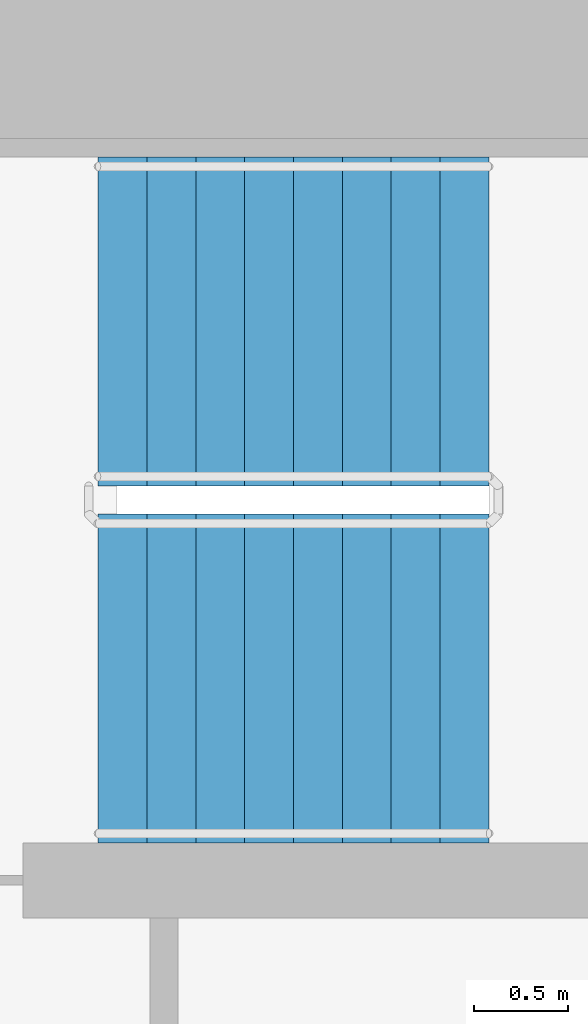
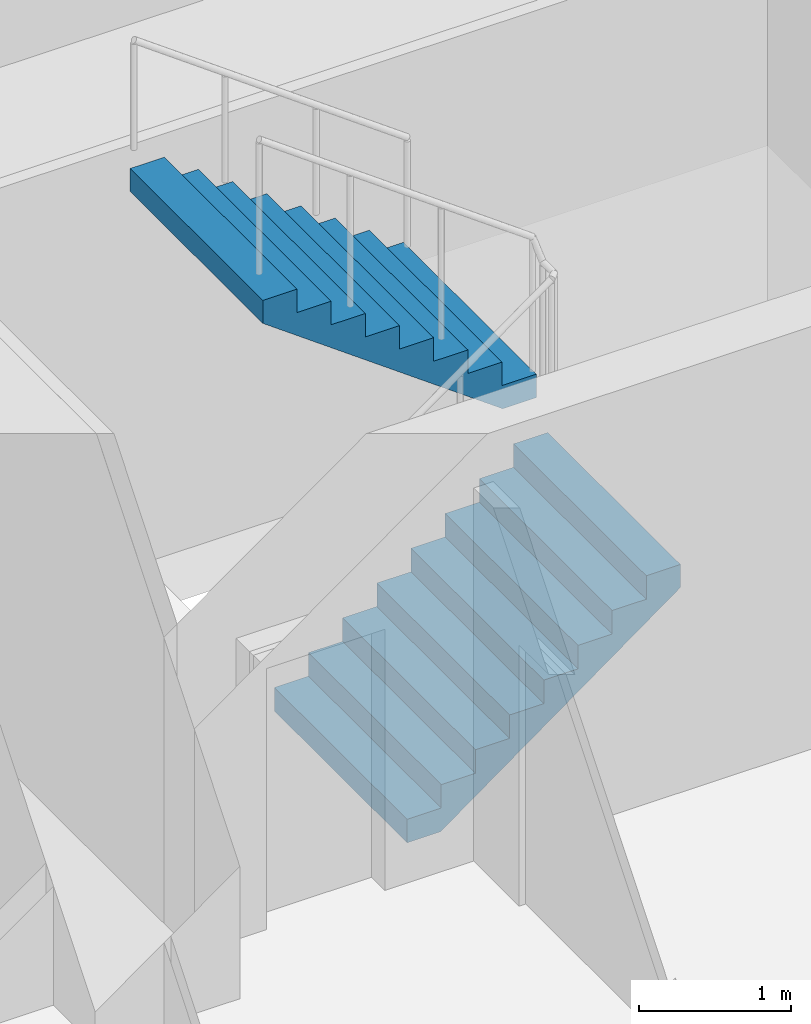
# One storey, part 19 of 25: 2 stair flights, 1 element without a shape of its own.
"""IFC4 building model written with IfcOpenShell, lengths in metres."""

from ifc_helpers import new_model, si_unit, direction, frame, origin, place, context, subcontext, project, spatial, faceted_brep, material, type_object, element, aggregate, save


model = new_model("IFC4")

# Units and contexts
model_context = context("Model", 3, precision=1e-05, world=origin(), true_north=direction((0.0, 1.0)))
body_context = subcontext(model_context, "Body", "Model", "MODEL_VIEW")
ifc_project = project(units=[si_unit("LENGTHUNIT", "METRE"), si_unit("AREAUNIT", "SQUARE_METRE"), si_unit("VOLUMEUNIT", "CUBIC_METRE"), si_unit("PLANEANGLEUNIT", "RADIAN"), si_unit("MASSUNIT", "GRAM", prefix="KILO")], contexts=[model_context])

# Site, building, storey
site_placement = place(None, origin())
site = spatial("IfcSite", under=ifc_project, at=site_placement, CompositionType="ELEMENT")
building_placement = place(site_placement, origin())
building = spatial("IfcBuilding", under=site, at=building_placement, Name="Ipe Terrace Towers", CompositionType="ELEMENT")
storey_placement = place(building_placement, frame((0.0, 0.0, 31.300048828125)))
storey = spatial("IfcBuildingStorey", under=building, at=storey_placement, Name="L07", CompositionType="ELEMENT", Elevation=31.300048828125)

# Stair, stair flights
ifc_material_1 = material(Name="Concrete C30/37", Category="concrete")
stair_type = type_object("IfcStairType", Name="Protected exit stair", PredefinedType="HALF_TURN_STAIR", material=ifc_material_1)
stair_placement = place(storey_placement, origin())
stair = element("IfcStair", 1, at=stair_placement, inside=storey, type_object=stair_type, Name="L07 Exit stair T1-C1", PredefinedType="HALF_TURN_STAIR")
ifc_material_2 = material(Name="Concrete C30/37", Category="concrete")
stair_flight_type = type_object("IfcStairFlightType", Name="Exit stair flight 1750", PredefinedType="STRAIGHT", material=ifc_material_2)
stair_flight_1_placement = place(storey_placement, frame((-26.300048828125, 2.77490234375, 0.0), z_axis=(0.0, 0.0, 1.0), x_axis=(1.0, 0.0, 0.0)))
stair_flight_1 = element("IfcStairFlight", 2, at=stair_flight_1_placement, type_object=stair_flight_type, Name="T1-ST1 flight 1", NumberOfRisers=9, NumberOfTreads=8, PredefinedType="STRAIGHT", RiserHeight=0.188888889, TreadLength=0.26, context=body_context, shape_type="Brep", body=[
    faceted_brep([(0.255126953125, -0.875, 0.0), (2.080078125, -0.875, 1.325927734375), (2.080078125, -0.875, 1.51123046875), (1.820068359375, -0.875, 1.51123046875), (1.820068359375, -0.875, 1.322265625), (1.56005859375, -0.875, 1.322265625), (1.56005859375, -0.875, 1.13330078125), (1.300048828125, -0.875, 1.13330078125), (1.300048828125, -0.875, 0.9443359375), (1.0400390625, -0.875, 0.9443359375), (1.0400390625, -0.875, 0.755615234375), (0.780029296875, -0.875, 0.755615234375), (0.780029296875, -0.875, 0.566650390625), (0.52001953125, -0.875, 0.566650390625), (0.52001953125, -0.875, 0.377685546875), (0.260009765625, -0.875, 0.377685546875), (0.260009765625, -0.875, 0.18896484375), (0.0, -0.875, 0.18896484375), (0.0, -0.875, 0.0), (0.0, 0.875, 0.0), (0.0, 0.875, 0.18896484375), (0.260009765625, 0.875, 0.18896484375), (0.260009765625, 0.875, 0.377685546875), (0.52001953125, 0.875, 0.377685546875), (0.52001953125, 0.875, 0.566650390625), (0.780029296875, 0.875, 0.566650390625), (0.780029296875, 0.875, 0.755615234375), (1.0400390625, 0.875, 0.755615234375), (1.0400390625, 0.875, 0.9443359375), (1.300048828125, 0.875, 0.9443359375), (1.300048828125, 0.875, 1.13330078125), (1.56005859375, 0.875, 1.13330078125), (1.56005859375, 0.875, 1.322265625), (1.820068359375, 0.875, 1.322265625), (1.820068359375, 0.875, 1.51123046875), (2.080078125, 0.875, 1.51123046875), (2.080078125, 0.875, 1.325927734375), (0.255126953125, 0.875, 0.0), (0.0, -0.300048828125, 0.18896484375), (0.0, -0.1201171875, 0.18896484375), (0.0, -0.06005859375, 0.18896484375), (0.0, -0.030029296875, 0.18896484375), (0.0, -0.010009765625, 0.18896484375), (0.0, 0.0, 0.18896484375), (0.0, 0.010009765625, 0.18896484375), (0.0, 0.030029296875, 0.18896484375), (0.0, 0.06005859375, 0.18896484375), (0.0, 0.1201171875, 0.18896484375), (0.0, 0.300048828125, 0.18896484375), (0.0, 0.300048828125, 0.0), (0.0, 0.1201171875, 0.0), (0.0, 0.06005859375, 0.0), (0.0, 0.030029296875, 0.0), (0.0, 0.010009765625, 0.0), (0.0, 0.0, 0.0), (0.0, -0.010009765625, 0.0), (0.0, -0.030029296875, 0.0), (0.0, -0.06005859375, 0.0), (0.0, -0.1201171875, 0.0), (0.0, -0.300048828125, 0.0), (0.260009765625, -0.300048828125, 0.18896484375), (0.260009765625, -0.1201171875, 0.18896484375), (0.260009765625, -0.06005859375, 0.18896484375), (0.260009765625, -0.030029296875, 0.18896484375), (0.260009765625, -0.010009765625, 0.18896484375), (0.260009765625, 0.0, 0.18896484375), (0.260009765625, 0.010009765625, 0.18896484375), (0.260009765625, 0.030029296875, 0.18896484375), (0.260009765625, 0.06005859375, 0.18896484375), (0.260009765625, 0.1201171875, 0.18896484375), (0.260009765625, 0.300048828125, 0.18896484375), (0.260009765625, -0.300048828125, 0.377685546875), (0.260009765625, -0.1201171875, 0.377685546875), (0.260009765625, -0.06005859375, 0.377685546875), (0.260009765625, -0.030029296875, 0.377685546875), (0.260009765625, -0.010009765625, 0.377685546875), (0.260009765625, 0.0, 0.377685546875), (0.260009765625, 0.010009765625, 0.377685546875), (0.260009765625, 0.030029296875, 0.377685546875), (0.260009765625, 0.06005859375, 0.377685546875), (0.260009765625, 0.1201171875, 0.377685546875), (0.260009765625, 0.300048828125, 0.377685546875), (0.52001953125, -0.300048828125, 0.377685546875), (0.52001953125, -0.1201171875, 0.377685546875), (0.52001953125, -0.06005859375, 0.377685546875), (0.52001953125, -0.030029296875, 0.377685546875), (0.52001953125, -0.010009765625, 0.377685546875), (0.52001953125, 0.0, 0.377685546875), (0.52001953125, 0.010009765625, 0.377685546875), (0.52001953125, 0.030029296875, 0.377685546875), (0.52001953125, 0.06005859375, 0.377685546875), (0.52001953125, 0.1201171875, 0.377685546875), (0.52001953125, 0.300048828125, 0.377685546875), (0.52001953125, -0.300048828125, 0.566650390625), (0.52001953125, -0.1201171875, 0.566650390625), (0.52001953125, -0.06005859375, 0.566650390625), (0.52001953125, -0.030029296875, 0.566650390625), (0.52001953125, -0.010009765625, 0.566650390625), (0.52001953125, 0.0, 0.566650390625), (0.52001953125, 0.010009765625, 0.566650390625), (0.52001953125, 0.030029296875, 0.566650390625), (0.52001953125, 0.06005859375, 0.566650390625), (0.52001953125, 0.1201171875, 0.566650390625), (0.52001953125, 0.300048828125, 0.566650390625), (0.780029296875, -0.300048828125, 0.566650390625), (0.780029296875, -0.1201171875, 0.566650390625), (0.780029296875, -0.06005859375, 0.566650390625), (0.780029296875, -0.030029296875, 0.566650390625), (0.780029296875, -0.010009765625, 0.566650390625), (0.780029296875, 0.0, 0.566650390625), (0.780029296875, 0.010009765625, 0.566650390625), (0.780029296875, 0.030029296875, 0.566650390625), (0.780029296875, 0.06005859375, 0.566650390625), (0.780029296875, 0.1201171875, 0.566650390625), (0.780029296875, 0.300048828125, 0.566650390625), (0.780029296875, -0.300048828125, 0.755615234375), (0.780029296875, -0.1201171875, 0.755615234375), (0.780029296875, -0.06005859375, 0.755615234375), (0.780029296875, -0.030029296875, 0.755615234375), (0.780029296875, -0.010009765625, 0.755615234375), (0.780029296875, 0.0, 0.755615234375), (0.780029296875, 0.010009765625, 0.755615234375), (0.780029296875, 0.030029296875, 0.755615234375), (0.780029296875, 0.06005859375, 0.755615234375), (0.780029296875, 0.1201171875, 0.755615234375), (0.780029296875, 0.300048828125, 0.755615234375), (1.0400390625, -0.300048828125, 0.755615234375), (1.0400390625, -0.1201171875, 0.755615234375), (1.0400390625, -0.06005859375, 0.755615234375), (1.0400390625, -0.030029296875, 0.755615234375), (1.0400390625, -0.010009765625, 0.755615234375), (1.0400390625, 0.0, 0.755615234375), (1.0400390625, 0.010009765625, 0.755615234375), (1.0400390625, 0.030029296875, 0.755615234375), (1.0400390625, 0.06005859375, 0.755615234375), (1.0400390625, 0.1201171875, 0.755615234375), (1.0400390625, 0.300048828125, 0.755615234375), (1.0400390625, -0.300048828125, 0.9443359375), (1.0400390625, -0.1201171875, 0.9443359375), (1.0400390625, -0.06005859375, 0.9443359375), (1.0400390625, -0.030029296875, 0.9443359375), (1.0400390625, -0.010009765625, 0.9443359375), (1.0400390625, 0.0, 0.9443359375), (1.0400390625, 0.010009765625, 0.9443359375), (1.0400390625, 0.030029296875, 0.9443359375), (1.0400390625, 0.06005859375, 0.9443359375), (1.0400390625, 0.1201171875, 0.9443359375), (1.0400390625, 0.300048828125, 0.9443359375), (1.300048828125, -0.300048828125, 0.9443359375), (1.300048828125, -0.1201171875, 0.9443359375), (1.300048828125, -0.06005859375, 0.9443359375), (1.300048828125, -0.030029296875, 0.9443359375), (1.300048828125, -0.010009765625, 0.9443359375), (1.300048828125, 0.0, 0.9443359375), (1.300048828125, 0.010009765625, 0.9443359375), (1.300048828125, 0.030029296875, 0.9443359375), (1.300048828125, 0.06005859375, 0.9443359375), (1.300048828125, 0.1201171875, 0.9443359375), (1.300048828125, 0.300048828125, 0.9443359375), (1.300048828125, -0.300048828125, 1.13330078125), (1.300048828125, -0.1201171875, 1.13330078125), (1.300048828125, -0.06005859375, 1.13330078125), (1.300048828125, -0.030029296875, 1.13330078125), (1.300048828125, -0.010009765625, 1.13330078125), (1.300048828125, 0.0, 1.13330078125), (1.300048828125, 0.010009765625, 1.13330078125), (1.300048828125, 0.030029296875, 1.13330078125), (1.300048828125, 0.06005859375, 1.13330078125), (1.300048828125, 0.1201171875, 1.13330078125), (1.300048828125, 0.300048828125, 1.13330078125), (1.56005859375, -0.300048828125, 1.13330078125), (1.56005859375, -0.1201171875, 1.13330078125), (1.56005859375, -0.06005859375, 1.13330078125), (1.56005859375, -0.030029296875, 1.13330078125), (1.56005859375, -0.010009765625, 1.13330078125), (1.56005859375, 0.0, 1.13330078125), (1.56005859375, 0.010009765625, 1.13330078125), (1.56005859375, 0.030029296875, 1.13330078125), (1.56005859375, 0.06005859375, 1.13330078125), (1.56005859375, 0.1201171875, 1.13330078125), (1.56005859375, 0.300048828125, 1.13330078125), (1.56005859375, -0.300048828125, 1.322265625), (1.56005859375, -0.1201171875, 1.322265625), (1.56005859375, -0.06005859375, 1.322265625), (1.56005859375, -0.030029296875, 1.322265625), (1.56005859375, -0.010009765625, 1.322265625), (1.56005859375, 0.0, 1.322265625), (1.56005859375, 0.010009765625, 1.322265625), (1.56005859375, 0.030029296875, 1.322265625), (1.56005859375, 0.06005859375, 1.322265625), (1.56005859375, 0.1201171875, 1.322265625), (1.56005859375, 0.300048828125, 1.322265625), (1.820068359375, -0.300048828125, 1.322265625), (1.820068359375, -0.1201171875, 1.322265625), (1.820068359375, -0.06005859375, 1.322265625), (1.820068359375, -0.030029296875, 1.322265625), (1.820068359375, -0.010009765625, 1.322265625), (1.820068359375, 0.0, 1.322265625), (1.820068359375, 0.010009765625, 1.322265625), (1.820068359375, 0.030029296875, 1.322265625), (1.820068359375, 0.06005859375, 1.322265625), (1.820068359375, 0.1201171875, 1.322265625), (1.820068359375, 0.300048828125, 1.322265625), (1.820068359375, -0.300048828125, 1.51123046875), (1.820068359375, -0.1201171875, 1.51123046875), (1.820068359375, -0.06005859375, 1.51123046875), (1.820068359375, -0.030029296875, 1.51123046875), (1.820068359375, -0.010009765625, 1.51123046875), (1.820068359375, 0.0, 1.51123046875), (1.820068359375, 0.010009765625, 1.51123046875), (1.820068359375, 0.030029296875, 1.51123046875), (1.820068359375, 0.06005859375, 1.51123046875), (1.820068359375, 0.1201171875, 1.51123046875), (1.820068359375, 0.300048828125, 1.51123046875), (2.080078125, -0.300048828125, 1.51123046875), (2.080078125, -0.1201171875, 1.51123046875), (2.080078125, -0.06005859375, 1.51123046875), (2.080078125, -0.030029296875, 1.51123046875), (2.080078125, -0.010009765625, 1.51123046875), (2.080078125, 0.0, 1.51123046875), (2.080078125, 0.010009765625, 1.51123046875), (2.080078125, 0.030029296875, 1.51123046875), (2.080078125, 0.06005859375, 1.51123046875), (2.080078125, 0.1201171875, 1.51123046875), (2.080078125, 0.300048828125, 1.51123046875), (2.080078125, -0.300048828125, 1.325927734375), (2.080078125, -0.1201171875, 1.325927734375), (2.080078125, -0.06005859375, 1.325927734375), (2.080078125, -0.030029296875, 1.325927734375), (2.080078125, -0.010009765625, 1.325927734375), (2.080078125, 0.0, 1.325927734375), (2.080078125, 0.010009765625, 1.325927734375), (2.080078125, 0.030029296875, 1.325927734375), (2.080078125, 0.06005859375, 1.325927734375), (2.080078125, 0.1201171875, 1.325927734375), (2.080078125, 0.300048828125, 1.325927734375), (0.255126953125, -0.300048828125, 0.0), (0.255126953125, -0.1201171875, 0.0), (0.255126953125, -0.06005859375, 0.0), (0.255126953125, -0.030029296875, 0.0), (0.255126953125, -0.010009765625, 0.0), (0.255126953125, 0.0, 0.0), (0.255126953125, 0.010009765625, 0.0), (0.255126953125, 0.030029296875, 0.0), (0.255126953125, 0.06005859375, 0.0), (0.255126953125, 0.1201171875, 0.0), (0.255126953125, 0.300048828125, 0.0)], [[[0, 1, 2, 3, 4, 5, 6, 7, 8, 9, 10, 11, 12, 13, 14, 15, 16, 17, 18]], [[19, 20, 21, 22, 23, 24, 25, 26, 27, 28, 29, 30, 31, 32, 33, 34, 35, 36, 37]], [[17, 38, 39, 40, 41, 42, 43, 44, 45, 46, 47, 48, 20, 19, 49, 50, 51, 52, 53, 54, 55, 56, 57, 58, 59, 18]], [[16, 60, 61, 62, 63, 64, 65, 66, 67, 68, 69, 70, 21, 20, 48, 47, 46, 45, 44, 43, 42, 41, 40, 39, 38, 17]], [[15, 71, 72, 73, 74, 75, 76, 77, 78, 79, 80, 81, 22, 21, 70, 69, 68, 67, 66, 65, 64, 63, 62, 61, 60, 16]], [[14, 82, 83, 84, 85, 86, 87, 88, 89, 90, 91, 92, 23, 22, 81, 80, 79, 78, 77, 76, 75, 74, 73, 72, 71, 15]], [[13, 93, 94, 95, 96, 97, 98, 99, 100, 101, 102, 103, 24, 23, 92, 91, 90, 89, 88, 87, 86, 85, 84, 83, 82, 14]], [[12, 104, 105, 106, 107, 108, 109, 110, 111, 112, 113, 114, 25, 24, 103, 102, 101, 100, 99, 98, 97, 96, 95, 94, 93, 13]], [[11, 115, 116, 117, 118, 119, 120, 121, 122, 123, 124, 125, 26, 25, 114, 113, 112, 111, 110, 109, 108, 107, 106, 105, 104, 12]], [[10, 126, 127, 128, 129, 130, 131, 132, 133, 134, 135, 136, 27, 26, 125, 124, 123, 122, 121, 120, 119, 118, 117, 116, 115, 11]], [[9, 137, 138, 139, 140, 141, 142, 143, 144, 145, 146, 147, 28, 27, 136, 135, 134, 133, 132, 131, 130, 129, 128, 127, 126, 10]], [[8, 148, 149, 150, 151, 152, 153, 154, 155, 156, 157, 158, 29, 28, 147, 146, 145, 144, 143, 142, 141, 140, 139, 138, 137, 9]], [[7, 159, 160, 161, 162, 163, 164, 165, 166, 167, 168, 169, 30, 29, 158, 157, 156, 155, 154, 153, 152, 151, 150, 149, 148, 8]], [[6, 170, 171, 172, 173, 174, 175, 176, 177, 178, 179, 180, 31, 30, 169, 168, 167, 166, 165, 164, 163, 162, 161, 160, 159, 7]], [[5, 181, 182, 183, 184, 185, 186, 187, 188, 189, 190, 191, 32, 31, 180, 179, 178, 177, 176, 175, 174, 173, 172, 171, 170, 6]], [[4, 192, 193, 194, 195, 196, 197, 198, 199, 200, 201, 202, 33, 32, 191, 190, 189, 188, 187, 186, 185, 184, 183, 182, 181, 5]], [[3, 203, 204, 205, 206, 207, 208, 209, 210, 211, 212, 213, 34, 33, 202, 201, 200, 199, 198, 197, 196, 195, 194, 193, 192, 4]], [[2, 214, 215, 216, 217, 218, 219, 220, 221, 222, 223, 224, 35, 34, 213, 212, 211, 210, 209, 208, 207, 206, 205, 204, 203, 3]], [[1, 225, 226, 227, 228, 229, 230, 231, 232, 233, 234, 235, 36, 35, 224, 223, 222, 221, 220, 219, 218, 217, 216, 215, 214, 2]], [[0, 236, 237, 238, 239, 240, 241, 242, 243, 244, 245, 246, 37, 36, 235, 234, 233, 232, 231, 230, 229, 228, 227, 226, 225, 1]], [[18, 59, 58, 57, 56, 55, 54, 53, 52, 51, 50, 49, 19, 37, 246, 245, 244, 243, 242, 241, 240, 239, 238, 237, 236, 0]]]),
])
stair_flight_2_placement = place(storey_placement, frame((-24.219970703125, 4.675048828125, 1.699951171875), z_axis=(0.0, 0.0, 1.0), x_axis=(-1.0, 0.0, 0.0)))
stair_flight_2 = element("IfcStairFlight", 3, at=stair_flight_2_placement, type_object=stair_flight_type, Name="T1-ST1 flight 2", NumberOfRisers=9, NumberOfTreads=8, PredefinedType="STRAIGHT", RiserHeight=0.188888889, TreadLength=0.26, context=body_context, shape_type="Brep", body=[
    faceted_brep([(0.255126953125, -0.875, 0.0), (2.080078125, -0.875, 1.325927734375), (2.080078125, -0.875, 1.51123046875), (1.820068359375, -0.875, 1.51123046875), (1.820068359375, -0.875, 1.322265625), (1.56005859375, -0.875, 1.322265625), (1.56005859375, -0.875, 1.13330078125), (1.300048828125, -0.875, 1.13330078125), (1.300048828125, -0.875, 0.9443359375), (1.0400390625, -0.875, 0.9443359375), (1.0400390625, -0.875, 0.755615234375), (0.780029296875, -0.875, 0.755615234375), (0.780029296875, -0.875, 0.566650390625), (0.52001953125, -0.875, 0.566650390625), (0.52001953125, -0.875, 0.377685546875), (0.260009765625, -0.875, 0.377685546875), (0.260009765625, -0.875, 0.18896484375), (0.0, -0.875, 0.18896484375), (0.0, -0.875, 0.0), (0.0, 0.875, 0.0), (0.0, 0.875, 0.18896484375), (0.260009765625, 0.875, 0.18896484375), (0.260009765625, 0.875, 0.377685546875), (0.52001953125, 0.875, 0.377685546875), (0.52001953125, 0.875, 0.566650390625), (0.780029296875, 0.875, 0.566650390625), (0.780029296875, 0.875, 0.755615234375), (1.0400390625, 0.875, 0.755615234375), (1.0400390625, 0.875, 0.9443359375), (1.300048828125, 0.875, 0.9443359375), (1.300048828125, 0.875, 1.13330078125), (1.56005859375, 0.875, 1.13330078125), (1.56005859375, 0.875, 1.322265625), (1.820068359375, 0.875, 1.322265625), (1.820068359375, 0.875, 1.51123046875), (2.080078125, 0.875, 1.51123046875), (2.080078125, 0.875, 1.325927734375), (0.255126953125, 0.875, 0.0), (0.0, -0.300048828125, 0.18896484375), (0.0, -0.1201171875, 0.18896484375), (0.0, -0.06005859375, 0.18896484375), (0.0, -0.030029296875, 0.18896484375), (0.0, -0.010009765625, 0.18896484375), (0.0, 0.0, 0.18896484375), (0.0, 0.010009765625, 0.18896484375), (0.0, 0.030029296875, 0.18896484375), (0.0, 0.06005859375, 0.18896484375), (0.0, 0.1201171875, 0.18896484375), (0.0, 0.300048828125, 0.18896484375), (0.0, 0.300048828125, 0.0), (0.0, 0.1201171875, 0.0), (0.0, 0.06005859375, 0.0), (0.0, 0.030029296875, 0.0), (0.0, 0.010009765625, 0.0), (0.0, 0.0, 0.0), (0.0, -0.010009765625, 0.0), (0.0, -0.030029296875, 0.0), (0.0, -0.06005859375, 0.0), (0.0, -0.1201171875, 0.0), (0.0, -0.300048828125, 0.0), (0.260009765625, -0.300048828125, 0.18896484375), (0.260009765625, -0.1201171875, 0.18896484375), (0.260009765625, -0.06005859375, 0.18896484375), (0.260009765625, -0.030029296875, 0.18896484375), (0.260009765625, -0.010009765625, 0.18896484375), (0.260009765625, 0.0, 0.18896484375), (0.260009765625, 0.010009765625, 0.18896484375), (0.260009765625, 0.030029296875, 0.18896484375), (0.260009765625, 0.06005859375, 0.18896484375), (0.260009765625, 0.1201171875, 0.18896484375), (0.260009765625, 0.300048828125, 0.18896484375), (0.260009765625, -0.300048828125, 0.377685546875), (0.260009765625, -0.1201171875, 0.377685546875), (0.260009765625, -0.06005859375, 0.377685546875), (0.260009765625, -0.030029296875, 0.377685546875), (0.260009765625, -0.010009765625, 0.377685546875), (0.260009765625, 0.0, 0.377685546875), (0.260009765625, 0.010009765625, 0.377685546875), (0.260009765625, 0.030029296875, 0.377685546875), (0.260009765625, 0.06005859375, 0.377685546875), (0.260009765625, 0.1201171875, 0.377685546875), (0.260009765625, 0.300048828125, 0.377685546875), (0.52001953125, -0.300048828125, 0.377685546875), (0.52001953125, -0.1201171875, 0.377685546875), (0.52001953125, -0.06005859375, 0.377685546875), (0.52001953125, -0.030029296875, 0.377685546875), (0.52001953125, -0.010009765625, 0.377685546875), (0.52001953125, 0.0, 0.377685546875), (0.52001953125, 0.010009765625, 0.377685546875), (0.52001953125, 0.030029296875, 0.377685546875), (0.52001953125, 0.06005859375, 0.377685546875), (0.52001953125, 0.1201171875, 0.377685546875), (0.52001953125, 0.300048828125, 0.377685546875), (0.52001953125, -0.300048828125, 0.566650390625), (0.52001953125, -0.1201171875, 0.566650390625), (0.52001953125, -0.06005859375, 0.566650390625), (0.52001953125, -0.030029296875, 0.566650390625), (0.52001953125, -0.010009765625, 0.566650390625), (0.52001953125, 0.0, 0.566650390625), (0.52001953125, 0.010009765625, 0.566650390625), (0.52001953125, 0.030029296875, 0.566650390625), (0.52001953125, 0.06005859375, 0.566650390625), (0.52001953125, 0.1201171875, 0.566650390625), (0.52001953125, 0.300048828125, 0.566650390625), (0.780029296875, -0.300048828125, 0.566650390625), (0.780029296875, -0.1201171875, 0.566650390625), (0.780029296875, -0.06005859375, 0.566650390625), (0.780029296875, -0.030029296875, 0.566650390625), (0.780029296875, -0.010009765625, 0.566650390625), (0.780029296875, 0.0, 0.566650390625), (0.780029296875, 0.010009765625, 0.566650390625), (0.780029296875, 0.030029296875, 0.566650390625), (0.780029296875, 0.06005859375, 0.566650390625), (0.780029296875, 0.1201171875, 0.566650390625), (0.780029296875, 0.300048828125, 0.566650390625), (0.780029296875, -0.300048828125, 0.755615234375), (0.780029296875, -0.1201171875, 0.755615234375), (0.780029296875, -0.06005859375, 0.755615234375), (0.780029296875, -0.030029296875, 0.755615234375), (0.780029296875, -0.010009765625, 0.755615234375), (0.780029296875, 0.0, 0.755615234375), (0.780029296875, 0.010009765625, 0.755615234375), (0.780029296875, 0.030029296875, 0.755615234375), (0.780029296875, 0.06005859375, 0.755615234375), (0.780029296875, 0.1201171875, 0.755615234375), (0.780029296875, 0.300048828125, 0.755615234375), (1.0400390625, -0.300048828125, 0.755615234375), (1.0400390625, -0.1201171875, 0.755615234375), (1.0400390625, -0.06005859375, 0.755615234375), (1.0400390625, -0.030029296875, 0.755615234375), (1.0400390625, -0.010009765625, 0.755615234375), (1.0400390625, 0.0, 0.755615234375), (1.0400390625, 0.010009765625, 0.755615234375), (1.0400390625, 0.030029296875, 0.755615234375), (1.0400390625, 0.06005859375, 0.755615234375), (1.0400390625, 0.1201171875, 0.755615234375), (1.0400390625, 0.300048828125, 0.755615234375), (1.0400390625, -0.300048828125, 0.9443359375), (1.0400390625, -0.1201171875, 0.9443359375), (1.0400390625, -0.06005859375, 0.9443359375), (1.0400390625, -0.030029296875, 0.9443359375), (1.0400390625, -0.010009765625, 0.9443359375), (1.0400390625, 0.0, 0.9443359375), (1.0400390625, 0.010009765625, 0.9443359375), (1.0400390625, 0.030029296875, 0.9443359375), (1.0400390625, 0.06005859375, 0.9443359375), (1.0400390625, 0.1201171875, 0.9443359375), (1.0400390625, 0.300048828125, 0.9443359375), (1.300048828125, -0.300048828125, 0.9443359375), (1.300048828125, -0.1201171875, 0.9443359375), (1.300048828125, -0.06005859375, 0.9443359375), (1.300048828125, -0.030029296875, 0.9443359375), (1.300048828125, -0.010009765625, 0.9443359375), (1.300048828125, 0.0, 0.9443359375), (1.300048828125, 0.010009765625, 0.9443359375), (1.300048828125, 0.030029296875, 0.9443359375), (1.300048828125, 0.06005859375, 0.9443359375), (1.300048828125, 0.1201171875, 0.9443359375), (1.300048828125, 0.300048828125, 0.9443359375), (1.300048828125, -0.300048828125, 1.13330078125), (1.300048828125, -0.1201171875, 1.13330078125), (1.300048828125, -0.06005859375, 1.13330078125), (1.300048828125, -0.030029296875, 1.13330078125), (1.300048828125, -0.010009765625, 1.13330078125), (1.300048828125, 0.0, 1.13330078125), (1.300048828125, 0.010009765625, 1.13330078125), (1.300048828125, 0.030029296875, 1.13330078125), (1.300048828125, 0.06005859375, 1.13330078125), (1.300048828125, 0.1201171875, 1.13330078125), (1.300048828125, 0.300048828125, 1.13330078125), (1.56005859375, -0.300048828125, 1.13330078125), (1.56005859375, -0.1201171875, 1.13330078125), (1.56005859375, -0.06005859375, 1.13330078125), (1.56005859375, -0.030029296875, 1.13330078125), (1.56005859375, -0.010009765625, 1.13330078125), (1.56005859375, 0.0, 1.13330078125), (1.56005859375, 0.010009765625, 1.13330078125), (1.56005859375, 0.030029296875, 1.13330078125), (1.56005859375, 0.06005859375, 1.13330078125), (1.56005859375, 0.1201171875, 1.13330078125), (1.56005859375, 0.300048828125, 1.13330078125), (1.56005859375, -0.300048828125, 1.322265625), (1.56005859375, -0.1201171875, 1.322265625), (1.56005859375, -0.06005859375, 1.322265625), (1.56005859375, -0.030029296875, 1.322265625), (1.56005859375, -0.010009765625, 1.322265625), (1.56005859375, 0.0, 1.322265625), (1.56005859375, 0.010009765625, 1.322265625), (1.56005859375, 0.030029296875, 1.322265625), (1.56005859375, 0.06005859375, 1.322265625), (1.56005859375, 0.1201171875, 1.322265625), (1.56005859375, 0.300048828125, 1.322265625), (1.820068359375, -0.300048828125, 1.322265625), (1.820068359375, -0.1201171875, 1.322265625), (1.820068359375, -0.06005859375, 1.322265625), (1.820068359375, -0.030029296875, 1.322265625), (1.820068359375, -0.010009765625, 1.322265625), (1.820068359375, 0.0, 1.322265625), (1.820068359375, 0.010009765625, 1.322265625), (1.820068359375, 0.030029296875, 1.322265625), (1.820068359375, 0.06005859375, 1.322265625), (1.820068359375, 0.1201171875, 1.322265625), (1.820068359375, 0.300048828125, 1.322265625), (1.820068359375, -0.300048828125, 1.51123046875), (1.820068359375, -0.1201171875, 1.51123046875), (1.820068359375, -0.06005859375, 1.51123046875), (1.820068359375, -0.030029296875, 1.51123046875), (1.820068359375, -0.010009765625, 1.51123046875), (1.820068359375, 0.0, 1.51123046875), (1.820068359375, 0.010009765625, 1.51123046875), (1.820068359375, 0.030029296875, 1.51123046875), (1.820068359375, 0.06005859375, 1.51123046875), (1.820068359375, 0.1201171875, 1.51123046875), (1.820068359375, 0.300048828125, 1.51123046875), (2.080078125, -0.300048828125, 1.51123046875), (2.080078125, -0.1201171875, 1.51123046875), (2.080078125, -0.06005859375, 1.51123046875), (2.080078125, -0.030029296875, 1.51123046875), (2.080078125, -0.010009765625, 1.51123046875), (2.080078125, 0.0, 1.51123046875), (2.080078125, 0.010009765625, 1.51123046875), (2.080078125, 0.030029296875, 1.51123046875), (2.080078125, 0.06005859375, 1.51123046875), (2.080078125, 0.1201171875, 1.51123046875), (2.080078125, 0.300048828125, 1.51123046875), (2.080078125, -0.300048828125, 1.325927734375), (2.080078125, -0.1201171875, 1.325927734375), (2.080078125, -0.06005859375, 1.325927734375), (2.080078125, -0.030029296875, 1.325927734375), (2.080078125, -0.010009765625, 1.325927734375), (2.080078125, 0.0, 1.325927734375), (2.080078125, 0.010009765625, 1.325927734375), (2.080078125, 0.030029296875, 1.325927734375), (2.080078125, 0.06005859375, 1.325927734375), (2.080078125, 0.1201171875, 1.325927734375), (2.080078125, 0.300048828125, 1.325927734375), (0.255126953125, -0.300048828125, 0.0), (0.255126953125, -0.1201171875, 0.0), (0.255126953125, -0.06005859375, 0.0), (0.255126953125, -0.030029296875, 0.0), (0.255126953125, -0.010009765625, 0.0), (0.255126953125, 0.0, 0.0), (0.255126953125, 0.010009765625, 0.0), (0.255126953125, 0.030029296875, 0.0), (0.255126953125, 0.06005859375, 0.0), (0.255126953125, 0.1201171875, 0.0), (0.255126953125, 0.300048828125, 0.0)], [[[0, 1, 2, 3, 4, 5, 6, 7, 8, 9, 10, 11, 12, 13, 14, 15, 16, 17, 18]], [[19, 20, 21, 22, 23, 24, 25, 26, 27, 28, 29, 30, 31, 32, 33, 34, 35, 36, 37]], [[17, 38, 39, 40, 41, 42, 43, 44, 45, 46, 47, 48, 20, 19, 49, 50, 51, 52, 53, 54, 55, 56, 57, 58, 59, 18]], [[16, 60, 61, 62, 63, 64, 65, 66, 67, 68, 69, 70, 21, 20, 48, 47, 46, 45, 44, 43, 42, 41, 40, 39, 38, 17]], [[15, 71, 72, 73, 74, 75, 76, 77, 78, 79, 80, 81, 22, 21, 70, 69, 68, 67, 66, 65, 64, 63, 62, 61, 60, 16]], [[14, 82, 83, 84, 85, 86, 87, 88, 89, 90, 91, 92, 23, 22, 81, 80, 79, 78, 77, 76, 75, 74, 73, 72, 71, 15]], [[13, 93, 94, 95, 96, 97, 98, 99, 100, 101, 102, 103, 24, 23, 92, 91, 90, 89, 88, 87, 86, 85, 84, 83, 82, 14]], [[12, 104, 105, 106, 107, 108, 109, 110, 111, 112, 113, 114, 25, 24, 103, 102, 101, 100, 99, 98, 97, 96, 95, 94, 93, 13]], [[11, 115, 116, 117, 118, 119, 120, 121, 122, 123, 124, 125, 26, 25, 114, 113, 112, 111, 110, 109, 108, 107, 106, 105, 104, 12]], [[10, 126, 127, 128, 129, 130, 131, 132, 133, 134, 135, 136, 27, 26, 125, 124, 123, 122, 121, 120, 119, 118, 117, 116, 115, 11]], [[9, 137, 138, 139, 140, 141, 142, 143, 144, 145, 146, 147, 28, 27, 136, 135, 134, 133, 132, 131, 130, 129, 128, 127, 126, 10]], [[8, 148, 149, 150, 151, 152, 153, 154, 155, 156, 157, 158, 29, 28, 147, 146, 145, 144, 143, 142, 141, 140, 139, 138, 137, 9]], [[7, 159, 160, 161, 162, 163, 164, 165, 166, 167, 168, 169, 30, 29, 158, 157, 156, 155, 154, 153, 152, 151, 150, 149, 148, 8]], [[6, 170, 171, 172, 173, 174, 175, 176, 177, 178, 179, 180, 31, 30, 169, 168, 167, 166, 165, 164, 163, 162, 161, 160, 159, 7]], [[5, 181, 182, 183, 184, 185, 186, 187, 188, 189, 190, 191, 32, 31, 180, 179, 178, 177, 176, 175, 174, 173, 172, 171, 170, 6]], [[4, 192, 193, 194, 195, 196, 197, 198, 199, 200, 201, 202, 33, 32, 191, 190, 189, 188, 187, 186, 185, 184, 183, 182, 181, 5]], [[3, 203, 204, 205, 206, 207, 208, 209, 210, 211, 212, 213, 34, 33, 202, 201, 200, 199, 198, 197, 196, 195, 194, 193, 192, 4]], [[2, 214, 215, 216, 217, 218, 219, 220, 221, 222, 223, 224, 35, 34, 213, 212, 211, 210, 209, 208, 207, 206, 205, 204, 203, 3]], [[1, 225, 226, 227, 228, 229, 230, 231, 232, 233, 234, 235, 36, 35, 224, 223, 222, 221, 220, 219, 218, 217, 216, 215, 214, 2]], [[0, 236, 237, 238, 239, 240, 241, 242, 243, 244, 245, 246, 37, 36, 235, 234, 233, 232, 231, 230, 229, 228, 227, 226, 225, 1]], [[18, 59, 58, 57, 56, 55, 54, 53, 52, 51, 50, 49, 19, 37, 246, 245, 244, 243, 242, 241, 240, 239, 238, 237, 236, 0]]]),
])
aggregate(stair, [stair_flight_1, stair_flight_2])

save(model, "model.ifc")
